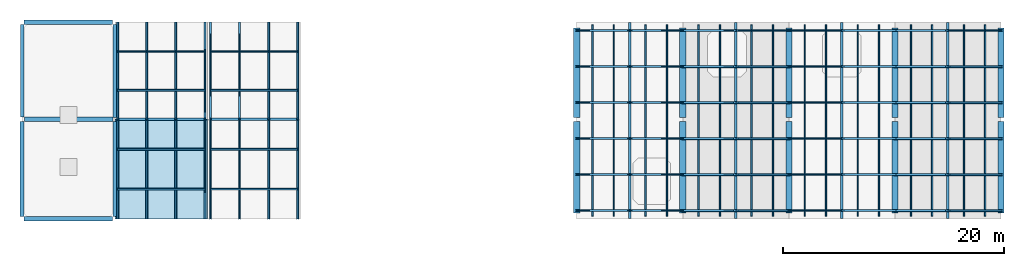
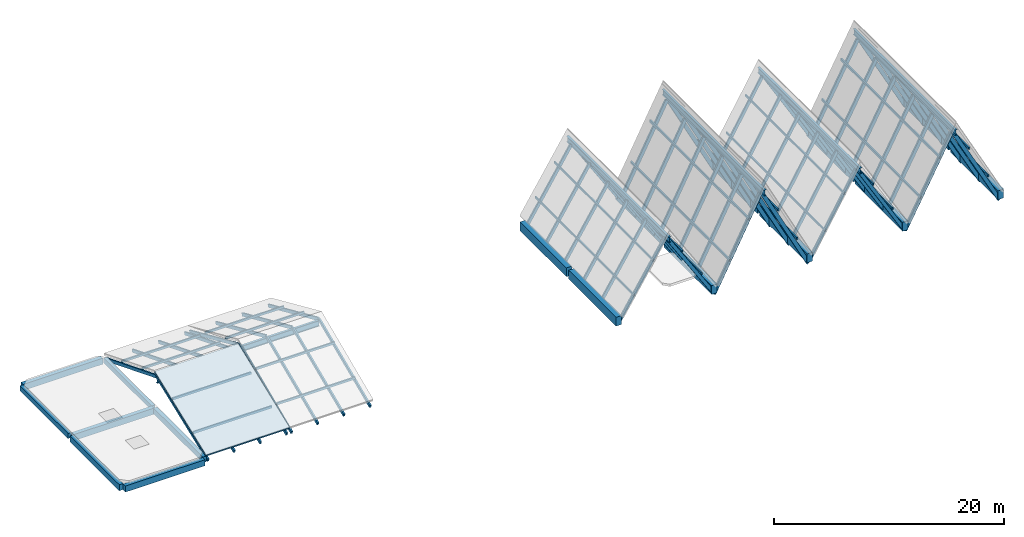
# One storey, part 1 of 3: 88 members, 23 beams, 1 slab, 1 element without a shape of its own.
"""IFC4 building model written with IfcOpenShell, lengths in metres."""

from ifc_helpers import new_model, si_unit, direction, frame, origin, origin_2d, place, context, subcontext, project, spatial, polyline, rectangle, i_section, outline, extrude, material, layer, layer_set, material_profile, profile_set, type_object, element, aggregate, save


model = new_model("IFC4")

# Units and contexts
model_context = context("Model", 3, precision=1e-05, world=origin(), true_north=direction((0.0, 1.0)))
body_context = subcontext(model_context, "Body", "Model", "MODEL_VIEW")
ifc_project = project(units=[si_unit("LENGTHUNIT", "METRE"), si_unit("AREAUNIT", "SQUARE_METRE"), si_unit("VOLUMEUNIT", "CUBIC_METRE"), si_unit("PLANEANGLEUNIT", "RADIAN"), si_unit("MASSUNIT", "GRAM", prefix="KILO")], contexts=[model_context])

# Site, building, storey
site_placement = place(None, origin())
site = spatial("IfcSite", under=ifc_project, at=site_placement, CompositionType="ELEMENT")
building_placement = place(site_placement, origin())
building = spatial("IfcBuilding", under=site, at=building_placement, Name="Birchvale Park Specialist Clinic", CompositionType="ELEMENT")
storey_placement = place(building_placement, frame((0.0, 0.0, 26.39990234375)))
storey = spatial("IfcBuildingStorey", under=building, at=storey_placement, Name="L06", CompositionType="ELEMENT", Elevation=26.39990234375)

# Beams
ifc_material_1 = material(Name="Concrete C40/50", Category="concrete")
ifc_material_profile_1 = material_profile(ifc_material_1, rectangle(XDim=0.3798828125, YDim=0.639892578125, at=origin_2d()), Name="RCB-380x640")
ifc_profile_set_1 = profile_set([ifc_material_profile_1], Name="Concrete C40/50")
beam_type_1 = type_object("IfcBeamType", Name="BM-EXT-BG5", PredefinedType="BEAM", material=ifc_profile_set_1)
beam_1_placement = place(storey_placement, frame((11.199951171875, 17.02490234375, -0.594970703125), z_axis=(0.0, 1.0, 0.0), x_axis=(-1.0, 0.0, 0.0)))
element("IfcBeam", 1, at=beam_1_placement, inside=storey, type_object=beam_type_1, Name="V2 L06 Y girder 4", PredefinedType="BEAM", context=body_context, shape_type="SweptSolid", body=[
    extrude(rectangle(XDim=0.3798828125, YDim=0.639892578125, at=origin_2d()), origin(), (0.0, 0.0, 1.0), 8.5751953125),
])
ifc_material_profile_2 = material_profile(ifc_material_1, rectangle(XDim=0.320068359375, YDim=0.5400390625, at=origin_2d()), Name="RCB-320x540")
ifc_profile_set_2 = profile_set([ifc_material_profile_2], Name="Concrete C40/50")
beam_type_2 = type_object("IfcBeamType", Name="BM-EXT-BG7", PredefinedType="BEAM", material=ifc_profile_set_2)
beam_2_placement = place(storey_placement, frame((11.199951171875, 26.0, -0.544921875), z_axis=(0.0, 1.0, 0.0), x_axis=(-1.0, 0.0, 0.0)))
element("IfcBeam", 2, at=beam_2_placement, inside=storey, type_object=beam_type_2, Name="V2 L06 Y girder 5", PredefinedType="BEAM", context=body_context, shape_type="SweptSolid", body=[
    extrude(rectangle(XDim=0.320068359375, YDim=0.5400390625, at=origin_2d()), origin(), (0.0, 0.0, 1.0), 8.375),
])
ifc_material_profile_3 = material_profile(ifc_material_1, rectangle(XDim=0.550048828125, YDim=0.93994140625, at=origin_2d()), Name="RCB-550x940")
ifc_profile_set_3 = profile_set([ifc_material_profile_3], Name="Concrete C40/50")
beam_type_3 = type_object("IfcBeamType", Name="BM-EXT-RB1", PredefinedType="BEAM", material=ifc_profile_set_3)
beam_3_placement = place(storey_placement, frame((61.39990234375, 17.340087890625, -0.679931640625), z_axis=(0.0, 1.0, 0.0), x_axis=(-1.0, 0.0, 0.0)))
element("IfcBeam", 3, at=beam_3_placement, inside=storey, type_object=beam_type_3, Name="L06 gable eave girder 61", PredefinedType="BEAM", context=body_context, shape_type="SweptSolid", body=[
    extrude(rectangle(XDim=0.550048828125, YDim=0.93994140625, at=origin_2d()), origin(), (0.0, 0.0, 1.0), 8.27001953125),
])
beam_4_placement = place(storey_placement, frame((61.39990234375, 25.989990234375, -0.679931640625), z_axis=(0.0, 1.0, 0.0), x_axis=(-1.0, 0.0, 0.0)))
element("IfcBeam", 4, at=beam_4_placement, inside=storey, type_object=beam_type_3, Name="L06 gable eave girder 61", PredefinedType="BEAM", context=body_context, shape_type="SweptSolid", body=[
    extrude(rectangle(XDim=0.550048828125, YDim=0.93994140625, at=origin_2d()), origin(), (0.0, 0.0, 1.0), 8.070068359375),
])
beam_5_placement = place(storey_placement, frame((71.0, 17.340087890625, -0.679931640625), z_axis=(0.0, 1.0, 0.0), x_axis=(-1.0, 0.0, 0.0)))
element("IfcBeam", 5, at=beam_5_placement, inside=storey, type_object=beam_type_3, Name="L06 gable eave girder 71", PredefinedType="BEAM", context=body_context, shape_type="SweptSolid", body=[
    extrude(rectangle(XDim=0.550048828125, YDim=0.93994140625, at=origin_2d()), origin(), (0.0, 0.0, 1.0), 8.27001953125),
])
beam_6_placement = place(storey_placement, frame((71.0, 25.989990234375, -0.679931640625), z_axis=(0.0, 1.0, 0.0), x_axis=(-1.0, 0.0, 0.0)))
element("IfcBeam", 6, at=beam_6_placement, inside=storey, type_object=beam_type_3, Name="L06 gable eave girder 71", PredefinedType="BEAM", context=body_context, shape_type="SweptSolid", body=[
    extrude(rectangle(XDim=0.550048828125, YDim=0.93994140625, at=origin_2d()), origin(), (0.0, 0.0, 1.0), 8.070068359375),
])
beam_7_placement = place(storey_placement, frame((80.60009765625, 17.340087890625, -0.679931640625), z_axis=(0.0, 1.0, 0.0), x_axis=(-1.0, 0.0, 0.0)))
element("IfcBeam", 7, at=beam_7_placement, inside=storey, type_object=beam_type_3, Name="L06 gable eave girder 81", PredefinedType="BEAM", context=body_context, shape_type="SweptSolid", body=[
    extrude(rectangle(XDim=0.550048828125, YDim=0.93994140625, at=origin_2d()), origin(), (0.0, 0.0, 1.0), 8.27001953125),
])
beam_8_placement = place(storey_placement, frame((80.60009765625, 25.989990234375, -0.679931640625), z_axis=(0.0, 1.0, 0.0), x_axis=(-1.0, 0.0, 0.0)))
element("IfcBeam", 8, at=beam_8_placement, inside=storey, type_object=beam_type_3, Name="L06 gable eave girder 81", PredefinedType="BEAM", context=body_context, shape_type="SweptSolid", body=[
    extrude(rectangle(XDim=0.550048828125, YDim=0.93994140625, at=origin_2d()), origin(), (0.0, 0.0, 1.0), 8.070068359375),
])
beam_9_placement = place(storey_placement, frame((90.199951171875, 17.340087890625, -0.679931640625), z_axis=(0.0, 1.0, 0.0), x_axis=(-1.0, 0.0, 0.0)))
element("IfcBeam", 9, at=beam_9_placement, inside=storey, type_object=beam_type_3, Name="L06 gable eave girder 90", PredefinedType="BEAM", context=body_context, shape_type="SweptSolid", body=[
    extrude(rectangle(XDim=0.550048828125, YDim=0.93994140625, at=origin_2d()), origin(), (0.0, 0.0, 1.0), 8.27001953125),
])
beam_10_placement = place(storey_placement, frame((90.199951171875, 25.989990234375, -0.679931640625), z_axis=(0.0, 1.0, 0.0), x_axis=(-1.0, 0.0, 0.0)))
element("IfcBeam", 10, at=beam_10_placement, inside=storey, type_object=beam_type_3, Name="L06 gable eave girder 90", PredefinedType="BEAM", context=body_context, shape_type="SweptSolid", body=[
    extrude(rectangle(XDim=0.550048828125, YDim=0.93994140625, at=origin_2d()), origin(), (0.0, 0.0, 1.0), 8.070068359375),
])
beam_11_placement = place(storey_placement, frame((99.800048828125, 17.340087890625, -0.679931640625), z_axis=(0.0, 1.0, 0.0), x_axis=(-1.0, 0.0, 0.0)))
element("IfcBeam", 11, at=beam_11_placement, inside=storey, type_object=beam_type_3, Name="L06 gable eave girder 100", PredefinedType="BEAM", context=body_context, shape_type="SweptSolid", body=[
    extrude(rectangle(XDim=0.550048828125, YDim=0.93994140625, at=origin_2d()), origin(), (0.0, 0.0, 1.0), 8.27001953125),
])
beam_12_placement = place(storey_placement, frame((99.800048828125, 25.989990234375, -0.679931640625), z_axis=(0.0, 1.0, 0.0), x_axis=(-1.0, 0.0, 0.0)))
element("IfcBeam", 12, at=beam_12_placement, inside=storey, type_object=beam_type_3, Name="L06 gable eave girder 100", PredefinedType="BEAM", context=body_context, shape_type="SweptSolid", body=[
    extrude(rectangle(XDim=0.550048828125, YDim=0.93994140625, at=origin_2d()), origin(), (0.0, 0.0, 1.0), 8.070068359375),
])
ifc_material_profile_4 = material_profile(ifc_material_1, rectangle(XDim=0.39990234375, YDim=0.64990234375, at=origin_2d()), Name="RCB-400x650")
ifc_profile_set_4 = profile_set([ifc_material_profile_4], Name="Concrete C40/50")
beam_type_4 = type_object("IfcBeamType", Name="BM-INT-BG4", PredefinedType="BEAM", material=ifc_profile_set_4)
beam_13_placement = place(storey_placement, frame((11.375, 16.800048828125, -0.599853515625), z_axis=(1.0, 0.0, 0.0), x_axis=(0.0, 1.0, 0.0)))
element("IfcBeam", 13, at=beam_13_placement, inside=storey, type_object=beam_type_4, Name="V2 L06 X girder 1", PredefinedType="BEAM", context=body_context, shape_type="SweptSolid", body=[
    extrude(rectangle(XDim=0.39990234375, YDim=0.64990234375, at=origin_2d()), origin(), (0.0, 0.0, 1.0), 8.0),
])
beam_14_placement = place(storey_placement, frame((11.39990234375, 25.800048828125, -0.599853515625), z_axis=(1.0, 0.0, 0.0), x_axis=(0.0, 1.0, 0.0)))
element("IfcBeam", 14, at=beam_14_placement, inside=storey, type_object=beam_type_4, Name="V2 L06 X girder 2", PredefinedType="BEAM", context=body_context, shape_type="SweptSolid", body=[
    extrude(rectangle(XDim=0.39990234375, YDim=0.64990234375, at=origin_2d()), origin(), (0.0, 0.0, 1.0), 8.025146484375),
])
beam_15_placement = place(storey_placement, frame((11.375, 34.60009765625, -0.599853515625), z_axis=(1.0, 0.0, 0.0), x_axis=(0.0, 1.0, 0.0)))
element("IfcBeam", 15, at=beam_15_placement, inside=storey, type_object=beam_type_4, Name="V2 L06 X girder 3", PredefinedType="BEAM", context=body_context, shape_type="SweptSolid", body=[
    extrude(rectangle(XDim=0.39990234375, YDim=0.64990234375, at=origin_2d()), origin(), (0.0, 0.0, 1.0), 8.0),
])
ifc_material_profile_5 = material_profile(ifc_material_1, rectangle(XDim=0.3798828125, YDim=0.60009765625, at=origin_2d()), Name="RCB-380x600")
ifc_profile_set_5 = profile_set([ifc_material_profile_5], Name="Concrete C40/50")
beam_type_5 = type_object("IfcBeamType", Name="BM-INT-BG5", PredefinedType="BEAM", material=ifc_profile_set_5)
beam_16_placement = place(storey_placement, frame((19.60009765625, 17.02490234375, -0.574951171875), z_axis=(0.0, 1.0, 0.0), x_axis=(-1.0, 0.0, 0.0)))
element("IfcBeam", 16, at=beam_16_placement, inside=storey, type_object=beam_type_5, Name="V2 L06 Y girder 6", PredefinedType="BEAM", context=body_context, shape_type="SweptSolid", body=[
    extrude(rectangle(XDim=0.3798828125, YDim=0.60009765625, at=origin_2d()), origin(), (0.0, 0.0, 1.0), 8.60009765625),
])
ifc_material_profile_6 = material_profile(ifc_material_1, rectangle(XDim=0.320068359375, YDim=0.5, at=origin_2d()), Name="RCB-320x500")
ifc_profile_set_6 = profile_set([ifc_material_profile_6], Name="Concrete C40/50")
beam_type_6 = type_object("IfcBeamType", Name="BM-INT-BG7", PredefinedType="BEAM", material=ifc_profile_set_6)
beam_17_placement = place(storey_placement, frame((19.60009765625, 25.97509765625, -0.52490234375), z_axis=(0.0, 1.0, 0.0), x_axis=(-1.0, 0.0, 0.0)))
element("IfcBeam", 17, at=beam_17_placement, inside=storey, type_object=beam_type_6, Name="V2 L06 Y girder 7", PredefinedType="BEAM", context=body_context, shape_type="SweptSolid", body=[
    extrude(rectangle(XDim=0.320068359375, YDim=0.5, at=origin_2d()), origin(), (0.0, 0.0, 1.0), 8.39990234375),
])

# Members
ifc_material_2 = material(Name="Glulam GL28h", Category="wood")
ifc_material_profile_7 = material_profile(ifc_material_2, rectangle(XDim=0.139892578125, YDim=0.239990234375, at=origin_2d()), Name="GL-140x240")
ifc_profile_set_7 = profile_set([ifc_material_profile_7], Name="Glulam GL28h")
member_type_1 = type_object("IfcMemberType", Name="MEM-GP1", PredefinedType="PURLIN", material=ifc_profile_set_7)
for number, where, z_axis, x_axis, name in (
    (18, (72.43994140625, 17.050048828125, 2.027099609375), (0.0, 1.0, 0.0), (-1.0, 0.0, 0.0), "L06 glulam roof purlin V4-B3 W.1"),
    (19, (74.360107421875, 17.050048828125, 5.7470703125), (0.0, 1.0, 0.0), (-1.0, 0.0, 0.0), "L06 glulam roof purlin V4-B3 W.2"),
    (20, (77.239990234375, 17.050048828125, 5.7470703125), (0.0, 1.0, 0.0), (-1.0, 0.0, 0.0), "L06 glulam roof purlin V4-B3 E.1"),
    (21, (79.159912109375, 17.050048828125, 2.027099609375), (0.0, 1.0, 0.0), (-1.0, 0.0, 0.0), "L06 glulam roof purlin V4-B3 E.2"),
    (22, (91.639892578125, 17.050048828125, 1.956298828125), (0.0, 1.0, 0.0), (-1.0, 0.0, 0.0), "L06 glulam roof purlin V4-B5 W.1"),
    (23, (93.56005859375, 17.050048828125, 5.556396484375), (0.0, 1.0, 0.0), (-1.0, 0.0, 0.0), "L06 glulam roof purlin V4-B5 W.2"),
    (24, (96.43994140625, 17.050048828125, 5.556396484375), (0.0, 1.0, 0.0), (-1.0, 0.0, 0.0), "L06 glulam roof purlin V4-B5 E.1"),
    (25, (98.360107421875, 17.050048828125, 1.956298828125), (0.0, 1.0, 0.0), (-1.0, 0.0, 0.0), "L06 glulam roof purlin V4-B5 E.2"),
):
    element("IfcMember", number, at=place(storey_placement, frame(where, z_axis=z_axis, x_axis=x_axis)), inside=storey, type_object=member_type_1, Name=name, PredefinedType="PURLIN", context=body_context, shape_type="SweptSolid", body=[
        extrude(rectangle(XDim=0.139892578125, YDim=0.239990234375, at=origin_2d()), origin(), (0.0, 0.0, 1.0), 17.300048828125),
    ])
for number, where, z_axis, x_axis, name in (
    (26, (19.85009765625, 19.5, 0.690673828125), (1.0, 0.0, 0.0), (0.0, 1.0, 0.0), "L06 glulam roof purlin V2-L06-G1 S.1"),
    (27, (19.85009765625, 23.10009765625, 2.090576171875), (1.0, 0.0, 0.0), (0.0, 1.0, 0.0), "L06 glulam roof purlin V2-L06-G1 S.2"),
    (28, (19.85009765625, 28.43994140625, 2.089599609375), (1.0, 0.0, 0.0), (0.0, 1.0, 0.0), "L06 glulam roof purlin V2-L06-G1 N.1"),
    (29, (19.85009765625, 31.9599609375, 0.689697265625), (1.0, 0.0, 0.0), (0.0, 1.0, 0.0), "L06 glulam roof purlin V2-L06-G1 N.2"),
    (30, (28.25, 19.5, 0.804931640625), (1.0, 0.0, 0.0), (0.0, 1.0, 0.0), "L06 glulam roof purlin V2-L06-G2 S.1"),
    (31, (28.25, 23.10009765625, 2.364990234375), (1.0, 0.0, 0.0), (0.0, 1.0, 0.0), "L06 glulam roof purlin V2-L06-G2 S.2"),
    (32, (28.25, 28.43994140625, 2.36376953125), (1.0, 0.0, 0.0), (0.0, 1.0, 0.0), "L06 glulam roof purlin V2-L06-G2 N.1"),
    (33, (28.25, 31.9599609375, 0.8037109375), (1.0, 0.0, 0.0), (0.0, 1.0, 0.0), "L06 glulam roof purlin V2-L06-G2 N.2"),
):
    element("IfcMember", number, at=place(storey_placement, frame(where, z_axis=z_axis, x_axis=x_axis)), inside=storey, type_object=member_type_1, Name=name, PredefinedType="PURLIN", context=body_context, shape_type="SweptSolid", body=[
        extrude(rectangle(XDim=0.139892578125, YDim=0.239990234375, at=origin_2d()), origin(), (0.0, 0.0, 1.0), 7.89990234375),
    ])
ifc_material_profile_8 = material_profile(ifc_material_2, rectangle(XDim=0.1201171875, YDim=0.199951171875, at=origin_2d()), Name="GL-120x200")
ifc_profile_set_8 = profile_set([ifc_material_profile_8], Name="Glulam GL28h")
member_type_2 = type_object("IfcMemberType", Name="MEM-GP2", PredefinedType="PURLIN", material=ifc_profile_set_8)
for number, where, z_axis, x_axis, name in (
    (34, (62.840087890625, 17.050048828125, 1.662109375), (0.0, 1.0, 0.0), (-1.0, 0.0, 0.0), "L06 glulam roof purlin V4-B2 W.1"),
    (35, (64.760009765625, 17.050048828125, 4.7021484375), (0.0, 1.0, 0.0), (-1.0, 0.0, 0.0), "L06 glulam roof purlin V4-B2 W.2"),
    (36, (67.639892578125, 17.050048828125, 4.7021484375), (0.0, 1.0, 0.0), (-1.0, 0.0, 0.0), "L06 glulam roof purlin V4-B2 E.1"),
    (37, (69.56005859375, 17.050048828125, 1.662109375), (0.0, 1.0, 0.0), (-1.0, 0.0, 0.0), "L06 glulam roof purlin V4-B2 E.2"),
    (38, (82.0400390625, 17.050048828125, 1.806884765625), (0.0, 1.0, 0.0), (-1.0, 0.0, 0.0), "L06 glulam roof purlin V4-B4 W.1"),
    (39, (83.9599609375, 17.050048828125, 5.0869140625), (0.0, 1.0, 0.0), (-1.0, 0.0, 0.0), "L06 glulam roof purlin V4-B4 W.2"),
    (40, (86.840087890625, 17.050048828125, 5.0869140625), (0.0, 1.0, 0.0), (-1.0, 0.0, 0.0), "L06 glulam roof purlin V4-B4 E.1"),
    (41, (88.760009765625, 17.050048828125, 1.806884765625), (0.0, 1.0, 0.0), (-1.0, 0.0, 0.0), "L06 glulam roof purlin V4-B4 E.2"),
):
    element("IfcMember", number, at=place(storey_placement, frame(where, z_axis=z_axis, x_axis=x_axis)), inside=storey, type_object=member_type_2, Name=name, PredefinedType="PURLIN", context=body_context, shape_type="SweptSolid", body=[
        extrude(rectangle(XDim=0.1201171875, YDim=0.199951171875, at=origin_2d()), origin(), (0.0, 0.0, 1.0), 17.300048828125),
    ])
ifc_material_profile_9 = material_profile(ifc_material_2, rectangle(XDim=0.179931640625, YDim=0.360107421875, at=origin_2d()), Name="GL-180x360")
ifc_profile_set_9 = profile_set([ifc_material_profile_9], Name="Glulam GL28h")
member_type_3 = type_object("IfcMemberType", Name="MEM-GR1", PredefinedType="RAFTER", material=ifc_profile_set_9)
for number, where, z_axis, x_axis, name in (
    (42, (71.050048828125, 17.550048828125, -1.3203125), (0.45864109918, 0.0, 0.888621596712), (0.0, 1.0, 0.0), "L06 glulam roof rafter V4-B3 W.1"),
    (43, (71.050048828125, 20.81005859375, -1.3203125), (0.45864109918, 0.0, 0.888621596712), (0.0, 1.0, 0.0), "L06 glulam roof rafter V4-B3 W.2"),
    (44, (71.050048828125, 24.070068359375, -1.3203125), (0.45864109918, 0.0, 0.888621596712), (0.0, 1.0, 0.0), "L06 glulam roof rafter V4-B3 W.3"),
    (45, (71.050048828125, 27.330078125, -1.3203125), (0.45864109918, 0.0, 0.888621596712), (0.0, 1.0, 0.0), "L06 glulam roof rafter V4-B3 W.4"),
    (46, (71.050048828125, 30.590087890625, -1.3203125), (0.45864109918, 0.0, 0.888621596712), (0.0, 1.0, 0.0), "L06 glulam roof rafter V4-B3 W.5"),
    (47, (71.050048828125, 33.85009765625, -1.3203125), (0.45864109918, 0.0, 0.888621596712), (0.0, 1.0, 0.0), "L06 glulam roof rafter V4-B3 W.6"),
    (48, (75.85009765625, 17.550048828125, 7.785888671875), (0.45864109918, 0.0, -0.888621596712), (0.0, 1.0, 0.0), "L06 glulam roof rafter V4-B3 E.1"),
    (49, (75.85009765625, 20.81005859375, 7.785888671875), (0.45864109918, 0.0, -0.888621596712), (0.0, 1.0, 0.0), "L06 glulam roof rafter V4-B3 E.2"),
    (50, (75.85009765625, 24.070068359375, 7.785888671875), (0.45864109918, 0.0, -0.888621596712), (0.0, 1.0, 0.0), "L06 glulam roof rafter V4-B3 E.3"),
    (51, (75.85009765625, 27.330078125, 7.785888671875), (0.45864109918, 0.0, -0.888621596712), (0.0, 1.0, 0.0), "L06 glulam roof rafter V4-B3 E.4"),
    (52, (75.85009765625, 30.590087890625, 7.785888671875), (0.45864109918, 0.0, -0.888621596712), (0.0, 1.0, 0.0), "L06 glulam roof rafter V4-B3 E.5"),
    (53, (75.85009765625, 33.85009765625, 7.785888671875), (0.45864109918, 0.0, -0.888621596712), (0.0, 1.0, 0.0), "L06 glulam roof rafter V4-B3 E.6"),
):
    element("IfcMember", number, at=place(storey_placement, frame(where, z_axis=z_axis, x_axis=x_axis)), inside=storey, type_object=member_type_3, Name=name, PredefinedType="RAFTER", context=body_context, shape_type="SweptSolid", body=[
        extrude(rectangle(XDim=0.179931640625, YDim=0.360107421875, at=origin_2d()), origin(), (0.0, 0.0, 1.0), 10.24755859375),
    ])
for number, where, z_axis, x_axis, name in (
    (54, (90.25, 17.550048828125, -1.28759765625), (0.470584429026, 0.0, 0.882354971176), (0.0, 1.0, 0.0), "L06 glulam roof rafter V4-B5 W.1"),
    (55, (90.25, 20.81005859375, -1.28759765625), (0.470584429026, 0.0, 0.882354971176), (0.0, 1.0, 0.0), "L06 glulam roof rafter V4-B5 W.2"),
    (56, (90.25, 24.070068359375, -1.28759765625), (0.470584429026, 0.0, 0.882354971176), (0.0, 1.0, 0.0), "L06 glulam roof rafter V4-B5 W.3"),
    (57, (90.25, 27.330078125, -1.28759765625), (0.470584429026, 0.0, 0.882354971176), (0.0, 1.0, 0.0), "L06 glulam roof rafter V4-B5 W.4"),
    (58, (90.25, 30.590087890625, -1.28759765625), (0.470584429026, 0.0, 0.882354971176), (0.0, 1.0, 0.0), "L06 glulam roof rafter V4-B5 W.5"),
    (59, (90.25, 33.85009765625, -1.28759765625), (0.470584429026, 0.0, 0.882354971176), (0.0, 1.0, 0.0), "L06 glulam roof rafter V4-B5 W.6"),
    (60, (95.050048828125, 17.550048828125, 7.52490234375), (0.470584429026, 0.0, -0.882354971176), (0.0, 1.0, 0.0), "L06 glulam roof rafter V4-B5 E.1"),
    (61, (95.050048828125, 20.81005859375, 7.52490234375), (0.470584429026, 0.0, -0.882354971176), (0.0, 1.0, 0.0), "L06 glulam roof rafter V4-B5 E.2"),
    (62, (95.050048828125, 24.070068359375, 7.52490234375), (0.470584429026, 0.0, -0.882354971176), (0.0, 1.0, 0.0), "L06 glulam roof rafter V4-B5 E.3"),
    (63, (95.050048828125, 27.330078125, 7.52490234375), (0.470584429026, 0.0, -0.882354971176), (0.0, 1.0, 0.0), "L06 glulam roof rafter V4-B5 E.4"),
    (64, (95.050048828125, 30.590087890625, 7.52490234375), (0.470584429026, 0.0, -0.882354971176), (0.0, 1.0, 0.0), "L06 glulam roof rafter V4-B5 E.5"),
    (65, (95.050048828125, 33.85009765625, 7.52490234375), (0.470584429026, 0.0, -0.882354971176), (0.0, 1.0, 0.0), "L06 glulam roof rafter V4-B5 E.6"),
):
    element("IfcMember", number, at=place(storey_placement, frame(where, z_axis=z_axis, x_axis=x_axis)), inside=storey, type_object=member_type_3, Name=name, PredefinedType="RAFTER", context=body_context, shape_type="SweptSolid", body=[
        extrude(rectangle(XDim=0.179931640625, YDim=0.360107421875, at=origin_2d()), origin(), (0.0, 0.0, 1.0), 9.987548828125),
    ])
ifc_material_profile_10 = material_profile(ifc_material_2, rectangle(XDim=0.159912109375, YDim=0.320068359375, at=origin_2d()), Name="GL-160x320")
ifc_profile_set_10 = profile_set([ifc_material_profile_10], Name="Glulam GL28h")
member_type_4 = type_object("IfcMemberType", Name="MEM-GR2", PredefinedType="RAFTER", material=ifc_profile_set_10)
for number, where, z_axis, x_axis, name in (
    (66, (61.449951171875, 17.550048828125, -1.025634765625), (0.533989860528, 0.0, 0.845490880408), (0.0, 1.0, 0.0), "L06 glulam roof rafter V4-B2 W.1"),
    (67, (61.449951171875, 20.81005859375, -1.025634765625), (0.533989860528, 0.0, 0.845490880408), (0.0, 1.0, 0.0), "L06 glulam roof rafter V4-B2 W.2"),
    (68, (61.449951171875, 24.070068359375, -1.025634765625), (0.533989860528, 0.0, 0.845490880408), (0.0, 1.0, 0.0), "L06 glulam roof rafter V4-B2 W.3"),
    (69, (61.449951171875, 27.330078125, -1.025634765625), (0.533989860528, 0.0, 0.845490880408), (0.0, 1.0, 0.0), "L06 glulam roof rafter V4-B2 W.4"),
    (70, (61.449951171875, 30.590087890625, -1.025634765625), (0.533989860528, 0.0, 0.845490880408), (0.0, 1.0, 0.0), "L06 glulam roof rafter V4-B2 W.5"),
    (71, (61.449951171875, 33.85009765625, -1.025634765625), (0.533989860528, 0.0, 0.845490880408), (0.0, 1.0, 0.0), "L06 glulam roof rafter V4-B2 W.6"),
    (72, (66.25, 17.550048828125, 6.416015625), (0.533989860528, 0.0, -0.845490880408), (0.0, 1.0, 0.0), "L06 glulam roof rafter V4-B2 E.1"),
    (73, (66.25, 20.81005859375, 6.416015625), (0.533989860528, 0.0, -0.845490880408), (0.0, 1.0, 0.0), "L06 glulam roof rafter V4-B2 E.2"),
    (74, (66.25, 24.070068359375, 6.416015625), (0.533989860528, 0.0, -0.845490880408), (0.0, 1.0, 0.0), "L06 glulam roof rafter V4-B2 E.3"),
    (75, (66.25, 27.330078125, 6.416015625), (0.533989860528, 0.0, -0.845490880408), (0.0, 1.0, 0.0), "L06 glulam roof rafter V4-B2 E.4"),
    (76, (66.25, 30.590087890625, 6.416015625), (0.533989860528, 0.0, -0.845490880408), (0.0, 1.0, 0.0), "L06 glulam roof rafter V4-B2 E.5"),
    (77, (66.25, 33.85009765625, 6.416015625), (0.533989860528, 0.0, -0.845490880408), (0.0, 1.0, 0.0), "L06 glulam roof rafter V4-B2 E.6"),
):
    element("IfcMember", number, at=place(storey_placement, frame(where, z_axis=z_axis, x_axis=x_axis)), inside=storey, type_object=member_type_4, Name=name, PredefinedType="RAFTER", context=body_context, shape_type="SweptSolid", body=[
        extrude(rectangle(XDim=0.159912109375, YDim=0.320068359375, at=origin_2d()), origin(), (0.0, 0.0, 1.0), 8.801513671875),
    ])
for number, where, z_axis, x_axis, name in (
    (78, (80.64990234375, 17.550048828125, -1.08251953125), (0.505188735208, 0.0, 0.86300888861), (0.0, 1.0, 0.0), "L06 glulam roof rafter V4-B4 W.1"),
    (79, (80.64990234375, 20.81005859375, -1.08251953125), (0.505188735208, 0.0, 0.86300888861), (0.0, 1.0, 0.0), "L06 glulam roof rafter V4-B4 W.2"),
    (80, (80.64990234375, 24.070068359375, -1.08251953125), (0.505188735208, 0.0, 0.86300888861), (0.0, 1.0, 0.0), "L06 glulam roof rafter V4-B4 W.3"),
    (81, (80.64990234375, 27.330078125, -1.08251953125), (0.505188735208, 0.0, 0.86300888861), (0.0, 1.0, 0.0), "L06 glulam roof rafter V4-B4 W.4"),
    (82, (80.64990234375, 30.590087890625, -1.08251953125), (0.505188735208, 0.0, 0.86300888861), (0.0, 1.0, 0.0), "L06 glulam roof rafter V4-B4 W.5"),
    (83, (80.64990234375, 33.85009765625, -1.08251953125), (0.505188735208, 0.0, 0.86300888861), (0.0, 1.0, 0.0), "L06 glulam roof rafter V4-B4 W.6"),
):
    element("IfcMember", number, at=place(storey_placement, frame(where, z_axis=z_axis, x_axis=x_axis)), inside=storey, type_object=member_type_4, Name=name, PredefinedType="RAFTER", context=body_context, shape_type="SweptSolid", body=[
        extrude(rectangle(XDim=0.159912109375, YDim=0.320068359375, at=origin_2d()), origin(), (0.0, 0.0, 1.0), 9.303955078125),
    ])
for number, where, z_axis, x_axis, name in (
    (84, (85.449951171875, 17.550048828125, 6.94677734375), (0.505169191049, 0.0, -0.863020329085), (0.0, 1.0, 0.0), "L06 glulam roof rafter V4-B4 E.1"),
    (85, (85.449951171875, 20.81005859375, 6.94677734375), (0.505169191049, 0.0, -0.863020329085), (0.0, 1.0, 0.0), "L06 glulam roof rafter V4-B4 E.2"),
    (86, (85.449951171875, 24.070068359375, 6.94677734375), (0.505169191049, 0.0, -0.863020329085), (0.0, 1.0, 0.0), "L06 glulam roof rafter V4-B4 E.3"),
    (87, (85.449951171875, 27.330078125, 6.94677734375), (0.505169191049, 0.0, -0.863020329085), (0.0, 1.0, 0.0), "L06 glulam roof rafter V4-B4 E.4"),
    (88, (85.449951171875, 30.590087890625, 6.94677734375), (0.505169191049, 0.0, -0.863020329085), (0.0, 1.0, 0.0), "L06 glulam roof rafter V4-B4 E.5"),
    (89, (85.449951171875, 33.85009765625, 6.94677734375), (0.505169191049, 0.0, -0.863020329085), (0.0, 1.0, 0.0), "L06 glulam roof rafter V4-B4 E.6"),
):
    element("IfcMember", number, at=place(storey_placement, frame(where, z_axis=z_axis, x_axis=x_axis)), inside=storey, type_object=member_type_4, Name=name, PredefinedType="RAFTER", context=body_context, shape_type="SweptSolid", body=[
        extrude(rectangle(XDim=0.159912109375, YDim=0.320068359375, at=origin_2d()), origin(), (0.0, 0.0, 1.0), 9.3037109375),
    ])
for number, where, z_axis, x_axis, name in (
    (90, (19.85009765625, 16.85009765625, -0.640380859375), (0.0, 0.932000833088, 0.362456131308), (-1.0, 0.0, 0.0), "L06 glulam roof rafter V2-L06-G1 S.1"),
    (91, (22.4833984375, 16.85009765625, -0.640380859375), (0.0, 0.932000833088, 0.362456131308), (-1.0, 0.0, 0.0), "L06 glulam roof rafter V2-L06-G1 S.2"),
    (92, (25.11669921875, 16.85009765625, -0.640380859375), (0.0, 0.932000833088, 0.362456131308), (-1.0, 0.0, 0.0), "L06 glulam roof rafter V2-L06-G1 S.3"),
    (93, (27.75, 16.85009765625, -0.640380859375), (0.0, 0.932000833088, 0.362456131308), (-1.0, 0.0, 0.0), "L06 glulam roof rafter V2-L06-G1 S.4"),
):
    element("IfcMember", number, at=place(storey_placement, frame(where, z_axis=z_axis, x_axis=x_axis)), inside=storey, type_object=member_type_4, Name=name, PredefinedType="RAFTER", context=body_context, shape_type="SweptSolid", body=[
        extrude(rectangle(XDim=0.159912109375, YDim=0.320068359375, at=origin_2d()), origin(), (0.0, 0.0, 1.0), 9.54931640625),
    ])
for number, where, z_axis, x_axis, name in (
    (94, (19.85009765625, 25.85009765625, 2.818359375), (0.0, 0.929203223413, -0.369569167544), (-1.0, 0.0, 0.0), "L06 glulam roof rafter V2-L06-G1 N.1"),
    (95, (22.4833984375, 25.85009765625, 2.818359375), (0.0, 0.929203223413, -0.369569167544), (-1.0, 0.0, 0.0), "L06 glulam roof rafter V2-L06-G1 N.2"),
    (96, (25.11669921875, 25.85009765625, 2.818359375), (0.0, 0.929203223413, -0.369569167544), (-1.0, 0.0, 0.0), "L06 glulam roof rafter V2-L06-G1 N.3"),
    (97, (27.75, 25.85009765625, 2.818359375), (0.0, 0.929203223413, -0.369569167544), (-1.0, 0.0, 0.0), "L06 glulam roof rafter V2-L06-G1 N.4"),
):
    element("IfcMember", number, at=place(storey_placement, frame(where, z_axis=z_axis, x_axis=x_axis)), inside=storey, type_object=member_type_4, Name=name, PredefinedType="RAFTER", context=body_context, shape_type="SweptSolid", body=[
        extrude(rectangle(XDim=0.159912109375, YDim=0.320068359375, at=origin_2d()), origin(), (0.0, 0.0, 1.0), 9.36279296875),
    ])
for number, where, z_axis, x_axis, name in (
    (98, (28.25, 16.85009765625, -0.6484375), (0.0, 0.917562359265, 0.397591897376), (-1.0, 0.0, 0.0), "L06 glulam roof rafter V2-L06-G2 S.1"),
    (99, (30.88330078125, 16.85009765625, -0.6484375), (0.0, 0.917562359265, 0.397591897376), (-1.0, 0.0, 0.0), "L06 glulam roof rafter V2-L06-G2 S.2"),
    (100, (33.5166015625, 16.85009765625, -0.6484375), (0.0, 0.917562359265, 0.397591897376), (-1.0, 0.0, 0.0), "L06 glulam roof rafter V2-L06-G2 S.3"),
    (101, (36.14990234375, 16.85009765625, -0.6484375), (0.0, 0.917562359265, 0.397591897376), (-1.0, 0.0, 0.0), "L06 glulam roof rafter V2-L06-G2 S.4"),
):
    element("IfcMember", number, at=place(storey_placement, frame(where, z_axis=z_axis, x_axis=x_axis)), inside=storey, type_object=member_type_4, Name=name, PredefinedType="RAFTER", context=body_context, shape_type="SweptSolid", body=[
        extrude(rectangle(XDim=0.159912109375, YDim=0.320068359375, at=origin_2d()), origin(), (0.0, 0.0, 1.0), 9.699462890625),
    ])
for number, where, z_axis, x_axis, name in (
    (102, (28.25, 25.85009765625, 3.205078125), (0.0, 0.91424690762, -0.405157490252), (-1.0, 0.0, 0.0), "L06 glulam roof rafter V2-L06-G2 N.1"),
    (103, (30.88330078125, 25.85009765625, 3.205078125), (0.0, 0.91424690762, -0.405157490252), (-1.0, 0.0, 0.0), "L06 glulam roof rafter V2-L06-G2 N.2"),
    (104, (33.5166015625, 25.85009765625, 3.205078125), (0.0, 0.91424690762, -0.405157490252), (-1.0, 0.0, 0.0), "L06 glulam roof rafter V2-L06-G2 N.3"),
    (105, (36.14990234375, 25.85009765625, 3.205078125), (0.0, 0.91424690762, -0.405157490252), (-1.0, 0.0, 0.0), "L06 glulam roof rafter V2-L06-G2 N.4"),
):
    element("IfcMember", number, at=place(storey_placement, frame(where, z_axis=z_axis, x_axis=x_axis)), inside=storey, type_object=member_type_4, Name=name, PredefinedType="RAFTER", context=body_context, shape_type="SweptSolid", body=[
        extrude(rectangle(XDim=0.159912109375, YDim=0.320068359375, at=origin_2d()), origin(), (0.0, 0.0, 1.0), 9.515869140625),
    ])

# Beams
ifc_material_3 = material(Name="Steel ASTM A992 Grade 50", Category="steel")
ifc_material_profile_11 = material_profile(ifc_material_3, i_section(OverallWidth=0.22900390625, OverallDepth=0.612060546875, WebThickness=0.011962890625, FlangeThickness=0.01953125, at=origin_2d()), Name="W24X84")
ifc_profile_set_11 = profile_set([ifc_material_profile_11], Name="Steel ASTM A992 Grade 50")
beam_type_7 = type_object("IfcBeamType", Name="STL-EXT-SB2", PredefinedType="BEAM", material=ifc_profile_set_11)
for number, where, z_axis, x_axis, name in (
    (106, (66.199951171875, 16.820068359375, 6.564208984375), (0.0, 1.0, 0.0), (-1.0, 0.0, 0.0), "L06 gable ridge beam V4-B2"),
    (107, (75.800048828125, 16.820068359375, 8.18408203125), (0.0, 1.0, 0.0), (-1.0, 0.0, 0.0), "L06 gable ridge beam V4-B3"),
    (108, (85.39990234375, 16.820068359375, 7.1640625), (0.0, 1.0, 0.0), (-1.0, 0.0, 0.0), "L06 gable ridge beam V4-B4"),
    (109, (95.0, 16.820068359375, 7.884033203125), (0.0, 1.0, 0.0), (-1.0, 0.0, 0.0), "L06 gable ridge beam V4-B5"),
):
    element("IfcBeam", number, at=place(storey_placement, frame(where, z_axis=z_axis, x_axis=x_axis)), inside=storey, type_object=beam_type_7, Name=name, PredefinedType="BEAM", context=body_context, shape_type="SweptSolid", body=[
        extrude(i_section(OverallWidth=0.22900390625, OverallDepth=0.612060546875, WebThickness=0.011962890625, FlangeThickness=0.01953125, at=origin_2d()), origin(), (0.0, 0.0, 1.0), 17.760009765625),
    ])
for number, where, z_axis, x_axis, name in (
    (110, (19.85009765625, 25.800048828125, 2.439208984375), (1.0, 0.0, 0.0), (0.0, 1.0, 0.0), "L06 gable ridge beam V2-L06-G1"),
    (111, (28.25, 25.800048828125, 2.839111328125), (1.0, 0.0, 0.0), (0.0, 1.0, 0.0), "L06 gable ridge beam V2-L06-G2"),
):
    element("IfcBeam", number, at=place(storey_placement, frame(where, z_axis=z_axis, x_axis=x_axis)), inside=storey, type_object=beam_type_7, Name=name, PredefinedType="BEAM", context=body_context, shape_type="SweptSolid", body=[
        extrude(i_section(OverallWidth=0.22900390625, OverallDepth=0.612060546875, WebThickness=0.011962890625, FlangeThickness=0.01953125, at=origin_2d()), origin(), (0.0, 0.0, 1.0), 7.89990234375),
    ])

# Roof, slab
ifc_material_4 = material(Name="Standing-seam titanium-zinc roofing")
roof_type = type_object("IfcRoofType", Name="ROOF-GBL1", PredefinedType="GABLE_ROOF", material=ifc_material_4)
roof_placement = place(storey_placement, origin())
roof = element("IfcRoof", 112, at=roof_placement, inside=storey, type_object=roof_type, Name="L06 pitched gable roof V2-L06-G1", PredefinedType="GABLE_ROOF")
ifc_material_5 = material(Name="Concrete C35/45", Category="concrete")
ifc_layer = layer(ifc_material_5, 0.195068359375)
ifc_layer_set = layer_set([ifc_layer], Name="Concrete C35/45")
slab_type = type_object("IfcSlabType", Name="SLB-RS2", PredefinedType="ROOF", material=ifc_layer_set)
slab_placement = place(storey_placement, frame((19.60009765625, 16.800048828125, 0.0), z_axis=(0.0, -0.362459753747, 0.93199942431), x_axis=(1.0, 0.0, 0.0)))
slab = element("IfcSlab", 113, at=slab_placement, type_object=slab_type, Name="L06 gable roof deck V2-L06-G1 S", PredefinedType="ROOF", context=body_context, shape_type="SweptSolid", body=[
    extrude(outline(polyline([(0.0, 0.0), (8.39990234375, 0.0), (8.39990234375, 9.605053461815677), (0.0, 9.605053461815677), (0.0, 0.0)])), origin(), (0.0, 0.0, -1.0), 0.195068359375),
])
aggregate(roof, [slab])

save(model, "model.ifc")
